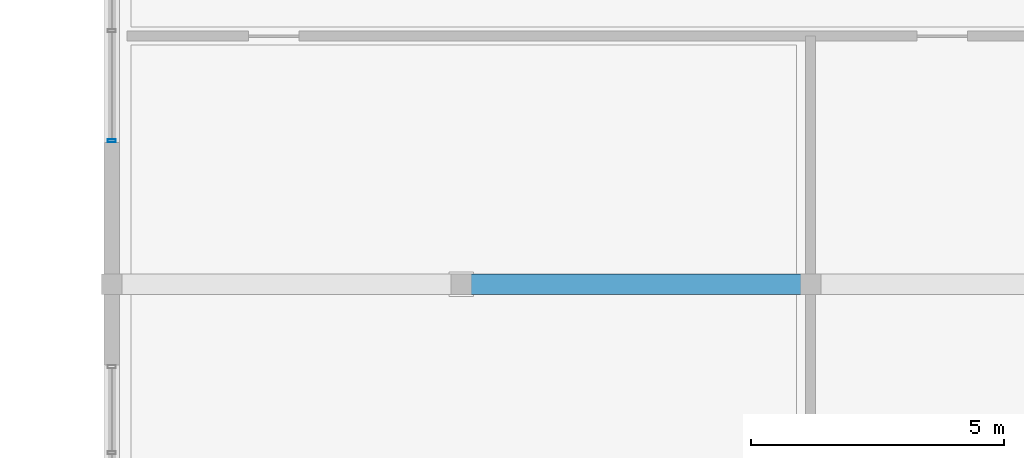
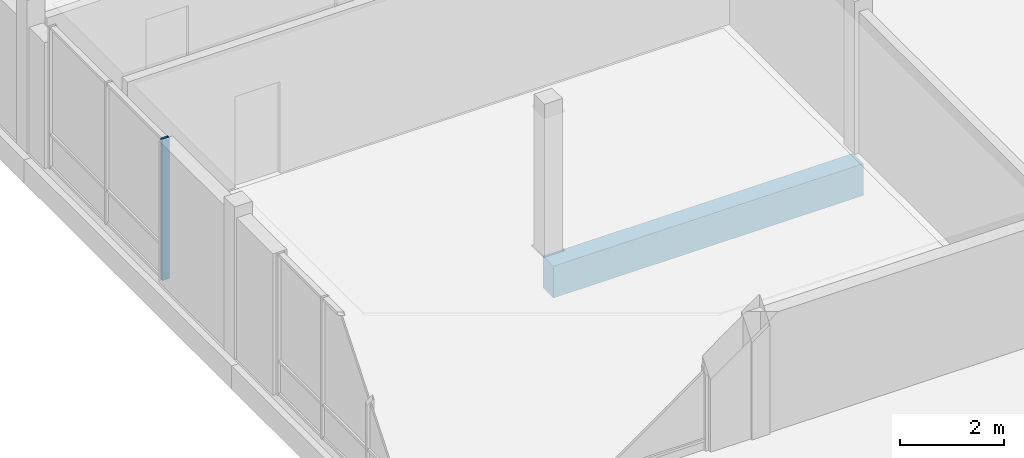
# One storey, part 67 of 189: 1 beam, 1 member, 1 element without a shape of its own.
"""IFC4 building model written with IfcOpenShell, lengths in metres."""

from ifc_helpers import new_model, si_unit, direction, frame, origin, origin_2d, place, context, subcontext, project, spatial, rectangle, hollow_rectangle, extrude, material, material_profile, profile_set, type_object, element, aggregate, save


model = new_model("IFC4")

# Units and contexts
model_context = context("Model", 3, precision=1e-05, world=origin(), true_north=direction((0.0, 1.0)))
body_context = subcontext(model_context, "Body", "Model", "MODEL_VIEW")
ifc_project = project(units=[si_unit("LENGTHUNIT", "METRE"), si_unit("AREAUNIT", "SQUARE_METRE"), si_unit("VOLUMEUNIT", "CUBIC_METRE"), si_unit("PLANEANGLEUNIT", "RADIAN"), si_unit("MASSUNIT", "GRAM", prefix="KILO")], contexts=[model_context])

# Site, building, storey
site_placement = place(None, origin())
site = spatial("IfcSite", under=ifc_project, at=site_placement, CompositionType="ELEMENT")
building_placement = place(site_placement, origin())
building = spatial("IfcBuilding", under=site, at=building_placement, Name="Zavelmont Quarter", CompositionType="ELEMENT")
storey_placement = place(building_placement, frame((0.0, 0.0, 4.39990234375)))
storey = spatial("IfcBuildingStorey", under=building, at=storey_placement, Name="L01", CompositionType="ELEMENT", Elevation=4.39990234375)

# Beam
ifc_material_1 = material(Name="Concrete C40/50", Category="concrete")
ifc_material_profile_1 = material_profile(ifc_material_1, rectangle(XDim=0.39990234375, YDim=0.75, at=origin_2d()), Name="RC400X750")
ifc_profile_set_1 = profile_set([ifc_material_profile_1], Name="Concrete C40/50")
beam_type = type_object("IfcBeamType", Name="BM05", PredefinedType="BEAM", material=ifc_profile_set_1)
beam_placement = place(storey_placement, frame((6.89990234375, 70.0, -0.65478515625), z_axis=(1.0, 0.0, 0.0), x_axis=(0.0, 1.0, 0.0)))
element("IfcBeam", 1, at=beam_placement, inside=storey, type_object=beam_type, Name="L01 beam BM05 2/L to 3/L", PredefinedType="BEAM", context=body_context, shape_type="SweptSolid", body=[
    extrude(rectangle(XDim=0.39990234375, YDim=0.75, at=origin_2d()), origin(), (0.0, 0.0, 1.0), 6.900146484375),
])

# Curtain wall, member
ifc_material_2 = material(Name="Thermally broken aluminium and double low-E safety glazing", Category="aluminium")
curtain_wall_type = type_object("IfcCurtainWallType", Name="CW-440X333", PredefinedType="NOTDEFINED", material=ifc_material_2)
curtain_wall_placement = place(storey_placement, origin())
curtain_wall = element("IfcCurtainWall", 2, at=curtain_wall_placement, inside=storey, type_object=curtain_wall_type, Name="L01 unitised curtain wall CW-440X333", PredefinedType="NOTDEFINED")
ifc_material_3 = material(Name="Powder-coated aluminium EN AW-6063-T6", Category="aluminium")
ifc_material_profile_2 = material_profile(ifc_material_3, hollow_rectangle(XDim=0.06005859375, YDim=0.159912109375, WallThickness=0.00390625, at=origin_2d()), Name="CWM60X160")
ifc_profile_set_2 = profile_set([ifc_material_profile_2], Name="Powder-coated aluminium EN AW-6063-T6")
member_type = type_object("IfcMemberType", Name="CWM01", PredefinedType="MULLION", material=ifc_profile_set_2)
member_placement = place(storey_placement, frame((0.0, 72.830078125, 0.0), z_axis=(0.0, 0.0, 1.0), x_axis=(0.0, 1.0, 0.0)))
member = element("IfcMember", 3, at=member_placement, type_object=member_type, Name="CW-440X333 mullion 1", PredefinedType="MULLION", context=body_context, shape_type="SweptSolid", body=[
    extrude(hollow_rectangle(XDim=0.06005859375, YDim=0.159912109375, WallThickness=0.00390625, at=origin_2d()), origin(), (0.0, 0.0, 1.0), 3.330078125),
])
aggregate(curtain_wall, [member])

save(model, "model.ifc")
